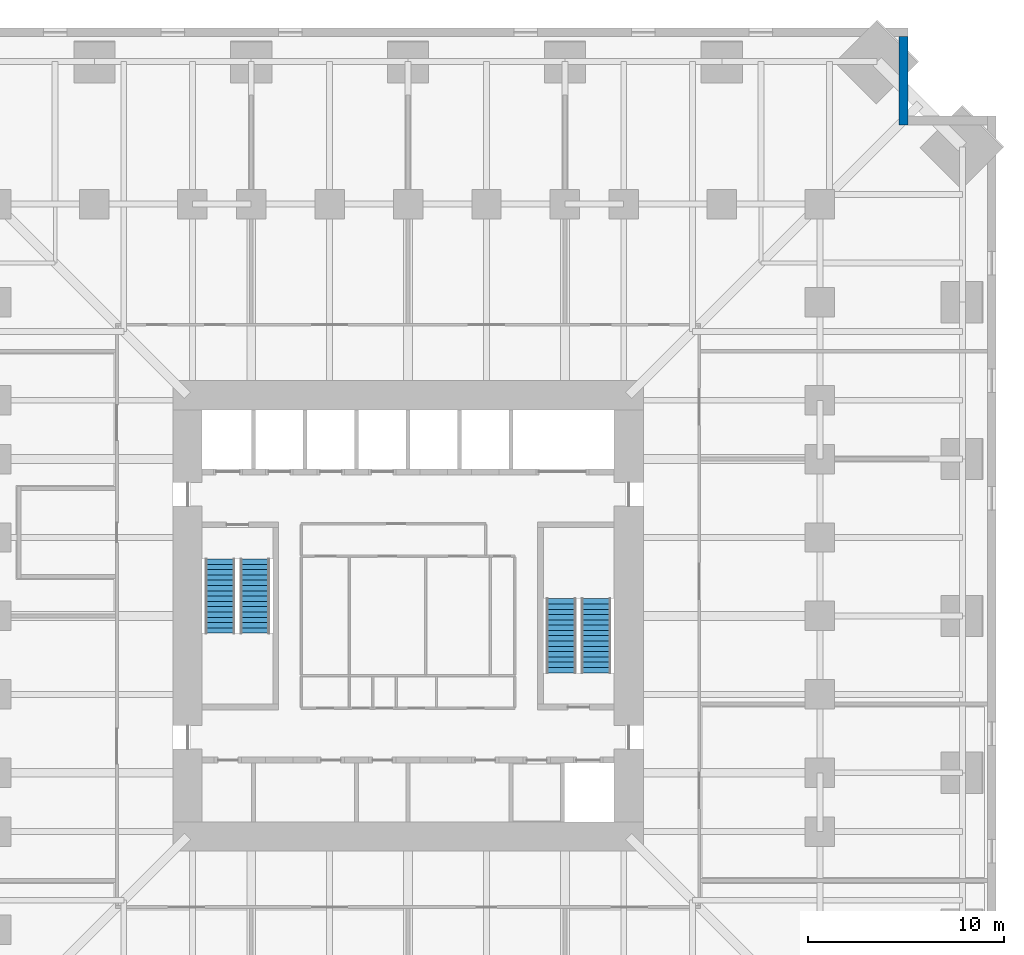
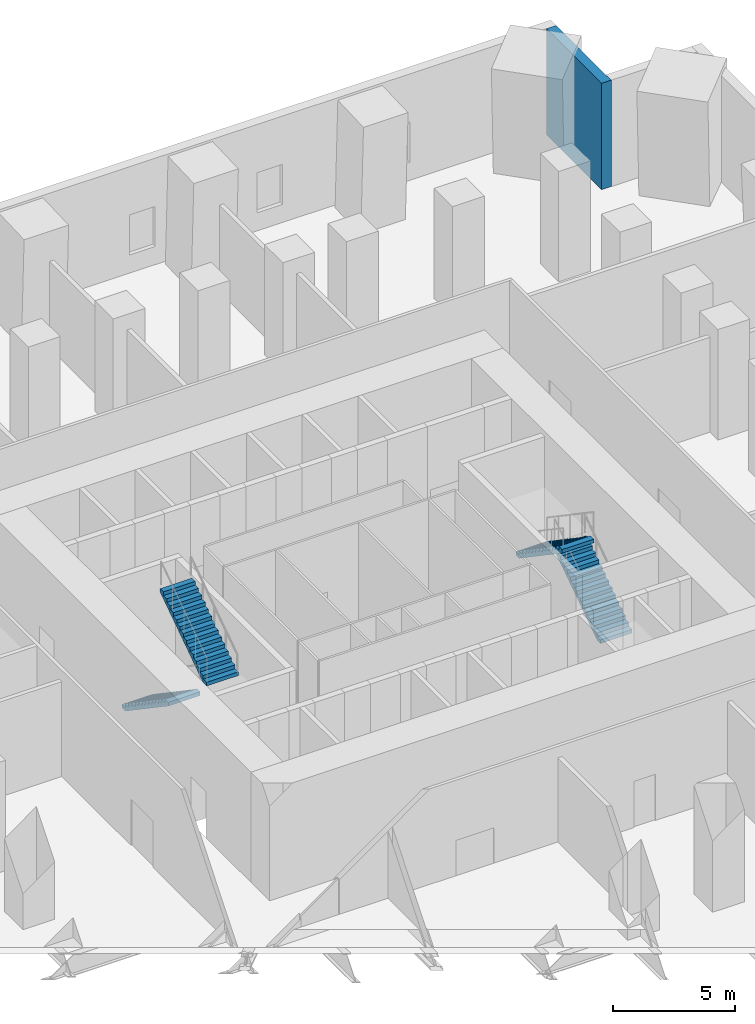
# One storey, part 7 of 8: 4 stair flights, 1 wall, 2 elements without a shape of their own.
"""IFC4 building model written with IfcOpenShell, lengths in metres."""

from ifc_helpers import new_model, si_unit, direction, frame, frame_2d, origin, place, context, subcontext, project, spatial, polyline, rectangle, outline, extrude, material, layer, layer_set, type_object, element, aggregate, save


model = new_model("IFC4")

# Units and contexts
model_context = context("Model", 3, precision=1e-05, world=origin(), true_north=direction((0.0, 1.0)))
body_context = subcontext(model_context, "Body", "Model", "MODEL_VIEW")
ifc_project = project(units=[si_unit("LENGTHUNIT", "METRE"), si_unit("AREAUNIT", "SQUARE_METRE"), si_unit("VOLUMEUNIT", "CUBIC_METRE"), si_unit("PLANEANGLEUNIT", "RADIAN"), si_unit("MASSUNIT", "GRAM", prefix="KILO")], contexts=[model_context])

# Site, building, storey
site_placement = place(None, origin())
site = spatial("IfcSite", under=ifc_project, at=site_placement, CompositionType="ELEMENT")
building_placement = place(site_placement, origin())
building = spatial("IfcBuilding", under=site, at=building_placement, Name="Peilmerk Tower", CompositionType="ELEMENT")
storey_placement = place(building_placement, frame((0.0, 0.0, 65.0)))
storey = spatial("IfcBuildingStorey", under=building, at=storey_placement, Name="L12", CompositionType="ELEMENT", Elevation=65.0)

# Wall
ifc_material_1 = material(Name="Precast concrete C45/55, board-marked finish", Category="concrete")
ifc_layer = layer(ifc_material_1, 0.449951171875)
ifc_layer_set = layer_set([ifc_layer], Name="Precast concrete C45/55, board-marked finish")
wall_type = type_object("IfcWallType", Name="EW1 450 precast concrete facade wall, board-marked", PredefinedType="SOLIDWALL", material=ifc_layer_set)
wall_placement = place(storey_placement, frame((25.27490234375, 25.050048828125, 0.0), z_axis=(0.0, 0.0, 1.0), x_axis=(0.0, 1.0, 0.0)))
element("IfcWall", 1, at=wall_placement, inside=storey, type_object=wall_type, Name="Facade wall NEA L12", PredefinedType="SOLIDWALL", context=body_context, shape_type="SweptSolid", body=[
    extrude(rectangle(XDim=4.5, YDim=0.449951171875, at=frame_2d((2.25, 0.0))), origin(), (0.0, 0.0, 1.0), 5.300048828125),
])

# Stair, stair flights
ifc_material_2 = material(Name="Precast concrete C45/55", Category="concrete")
stair_type_1 = type_object("IfcStairType", Name="ST1 30 risers of 183.3", PredefinedType="HALF_TURN_STAIR", material=ifc_material_2)
stair_1_placement = place(storey_placement, origin())
stair_1 = element("IfcStair", 2, at=stair_1_placement, inside=storey, type_object=stair_type_1, Name="Stair 1 L12 to L13", PredefinedType="HALF_TURN_STAIR")
stair_flight_type = type_object("IfcStairFlightType", Name="SF15 flight, 15 risers of 183.3", PredefinedType="STRAIGHT", material=ifc_material_2)
stair_flight_1_placement = place(storey_placement, frame((-9.60009765625, 2.89990234375, 0.0), z_axis=(0.0, 0.0, 1.0), x_axis=(0.0, -1.0, 0.0)))
stair_flight_1 = element("IfcStairFlight", 3, at=stair_flight_1_placement, type_object=stair_flight_type, Name="ST1 flight 1", NumberOfRisers=15, NumberOfTreads=14, PredefinedType="STRAIGHT", RiserHeight=0.183333333, TreadLength=0.27, context=body_context, shape_type="SweptSolid", body=[
    extrude(outline(polyline([(0.0, 0.0), (0.0, 0.183349609375), (0.27001953125, 0.183349609375), (0.27001953125, 0.36669921875), (0.5400390625, 0.36669921875), (0.5400390625, 0.550048828125), (0.81005859375, 0.550048828125), (0.81005859375, 0.7333984375), (1.080078125, 0.7333984375), (1.080078125, 0.916748046875), (1.35009765625, 0.916748046875), (1.35009765625, 1.10009765625), (1.6201171875, 1.10009765625), (1.6201171875, 1.283447265625), (1.889892578125, 1.283447265625), (1.889892578125, 1.466552734375), (2.159912109375, 1.466552734375), (2.159912109375, 1.64990234375), (2.429931640625, 1.64990234375), (2.429931640625, 1.833251953125), (2.699951171875, 1.833251953125), (2.699951171875, 2.0166015625), (2.969970703125, 2.0166015625), (2.969970703125, 2.199951171875), (3.239990234375, 2.199951171875), (3.239990234375, 2.38330078125), (3.510009765625, 2.38330078125), (3.510009765625, 2.566650390625), (3.780029296875, 2.566650390625), (3.780029296875, 2.75), (3.780029296875, 2.385498046875), (0.266845703125, 0.0), (0.0, 0.0)])), frame((0.0, 0.75, 0.0), z_axis=(0.0, -1.0, 0.0), x_axis=(1.0, 0.0, 0.0)), (0.0, 0.0, 1.0), 1.5),
])
stair_flight_2_placement = place(storey_placement, frame((-7.800048828125, -0.8798828125, 2.75), z_axis=(0.0, 0.0, 1.0), x_axis=(0.0, 1.0, 0.0)))
stair_flight_2 = element("IfcStairFlight", 4, at=stair_flight_2_placement, type_object=stair_flight_type, Name="ST1 flight 2", NumberOfRisers=15, NumberOfTreads=14, PredefinedType="STRAIGHT", RiserHeight=0.183333333, TreadLength=0.27, context=body_context, shape_type="SweptSolid", body=[
    extrude(outline(polyline([(0.0, 0.0), (0.0, 0.183349609375), (0.27001953125, 0.183349609375), (0.27001953125, 0.36669921875), (0.5400390625, 0.36669921875), (0.5400390625, 0.550048828125), (0.81005859375, 0.550048828125), (0.81005859375, 0.7333984375), (1.080078125, 0.7333984375), (1.080078125, 0.916748046875), (1.35009765625, 0.916748046875), (1.35009765625, 1.10009765625), (1.6201171875, 1.10009765625), (1.6201171875, 1.283447265625), (1.889892578125, 1.283447265625), (1.889892578125, 1.466552734375), (2.159912109375, 1.466552734375), (2.159912109375, 1.64990234375), (2.429931640625, 1.64990234375), (2.429931640625, 1.833251953125), (2.699951171875, 1.833251953125), (2.699951171875, 2.0166015625), (2.969970703125, 2.0166015625), (2.969970703125, 2.199951171875), (3.239990234375, 2.199951171875), (3.239990234375, 2.38330078125), (3.510009765625, 2.38330078125), (3.510009765625, 2.566650390625), (3.780029296875, 2.566650390625), (3.780029296875, 2.75), (3.780029296875, 2.385498046875), (0.266845703125, 0.0), (0.0, 0.0)])), frame((0.0, 0.75, 0.0), z_axis=(0.0, -1.0, 0.0), x_axis=(1.0, 0.0, 0.0)), (0.0, 0.0, 1.0), 1.5),
])
aggregate(stair_1, [stair_flight_1, stair_flight_2])

stair_type_2 = type_object("IfcStairType", Name="ST2 30 risers of 183.3", PredefinedType="HALF_TURN_STAIR", material=ifc_material_2)
stair_2_placement = place(storey_placement, origin())
stair_2 = element("IfcStair", 5, at=stair_2_placement, inside=storey, type_object=stair_type_2, Name="Stair 2 L12 to L13", PredefinedType="HALF_TURN_STAIR")
stair_flight_3_placement = place(storey_placement, frame((9.60009765625, -2.89990234375, 0.0), z_axis=(0.0, 0.0, 1.0), x_axis=(0.0, 1.0, 0.0)))
stair_flight_3 = element("IfcStairFlight", 6, at=stair_flight_3_placement, type_object=stair_flight_type, Name="ST2 flight 1", NumberOfRisers=15, NumberOfTreads=14, PredefinedType="STRAIGHT", RiserHeight=0.183333333, TreadLength=0.27, context=body_context, shape_type="SweptSolid", body=[
    extrude(outline(polyline([(0.0, 0.0), (0.0, 0.183349609375), (0.27001953125, 0.183349609375), (0.27001953125, 0.36669921875), (0.5400390625, 0.36669921875), (0.5400390625, 0.550048828125), (0.81005859375, 0.550048828125), (0.81005859375, 0.7333984375), (1.080078125, 0.7333984375), (1.080078125, 0.916748046875), (1.35009765625, 0.916748046875), (1.35009765625, 1.10009765625), (1.6201171875, 1.10009765625), (1.6201171875, 1.283447265625), (1.889892578125, 1.283447265625), (1.889892578125, 1.466552734375), (2.159912109375, 1.466552734375), (2.159912109375, 1.64990234375), (2.429931640625, 1.64990234375), (2.429931640625, 1.833251953125), (2.699951171875, 1.833251953125), (2.699951171875, 2.0166015625), (2.969970703125, 2.0166015625), (2.969970703125, 2.199951171875), (3.239990234375, 2.199951171875), (3.239990234375, 2.38330078125), (3.510009765625, 2.38330078125), (3.510009765625, 2.566650390625), (3.780029296875, 2.566650390625), (3.780029296875, 2.75), (3.780029296875, 2.385498046875), (0.266845703125, 0.0), (0.0, 0.0)])), frame((0.0, 0.75, 0.0), z_axis=(0.0, -1.0, 0.0), x_axis=(1.0, 0.0, 0.0)), (0.0, 0.0, 1.0), 1.5),
])
stair_flight_4_placement = place(storey_placement, frame((7.800048828125, 0.8798828125, 2.75), z_axis=(0.0, 0.0, 1.0), x_axis=(0.0, -1.0, 0.0)))
stair_flight_4 = element("IfcStairFlight", 7, at=stair_flight_4_placement, type_object=stair_flight_type, Name="ST2 flight 2", NumberOfRisers=15, NumberOfTreads=14, PredefinedType="STRAIGHT", RiserHeight=0.183333333, TreadLength=0.27, context=body_context, shape_type="SweptSolid", body=[
    extrude(outline(polyline([(0.0, 0.0), (0.0, 0.183349609375), (0.27001953125, 0.183349609375), (0.27001953125, 0.36669921875), (0.5400390625, 0.36669921875), (0.5400390625, 0.550048828125), (0.81005859375, 0.550048828125), (0.81005859375, 0.7333984375), (1.080078125, 0.7333984375), (1.080078125, 0.916748046875), (1.35009765625, 0.916748046875), (1.35009765625, 1.10009765625), (1.6201171875, 1.10009765625), (1.6201171875, 1.283447265625), (1.889892578125, 1.283447265625), (1.889892578125, 1.466552734375), (2.159912109375, 1.466552734375), (2.159912109375, 1.64990234375), (2.429931640625, 1.64990234375), (2.429931640625, 1.833251953125), (2.699951171875, 1.833251953125), (2.699951171875, 2.0166015625), (2.969970703125, 2.0166015625), (2.969970703125, 2.199951171875), (3.239990234375, 2.199951171875), (3.239990234375, 2.38330078125), (3.510009765625, 2.38330078125), (3.510009765625, 2.566650390625), (3.780029296875, 2.566650390625), (3.780029296875, 2.75), (3.780029296875, 2.385498046875), (0.266845703125, 0.0), (0.0, 0.0)])), frame((0.0, 0.75, 0.0), z_axis=(0.0, -1.0, 0.0), x_axis=(1.0, 0.0, 0.0)), (0.0, 0.0, 1.0), 1.5),
])
aggregate(stair_2, [stair_flight_3, stair_flight_4])

save(model, "model.ifc")
